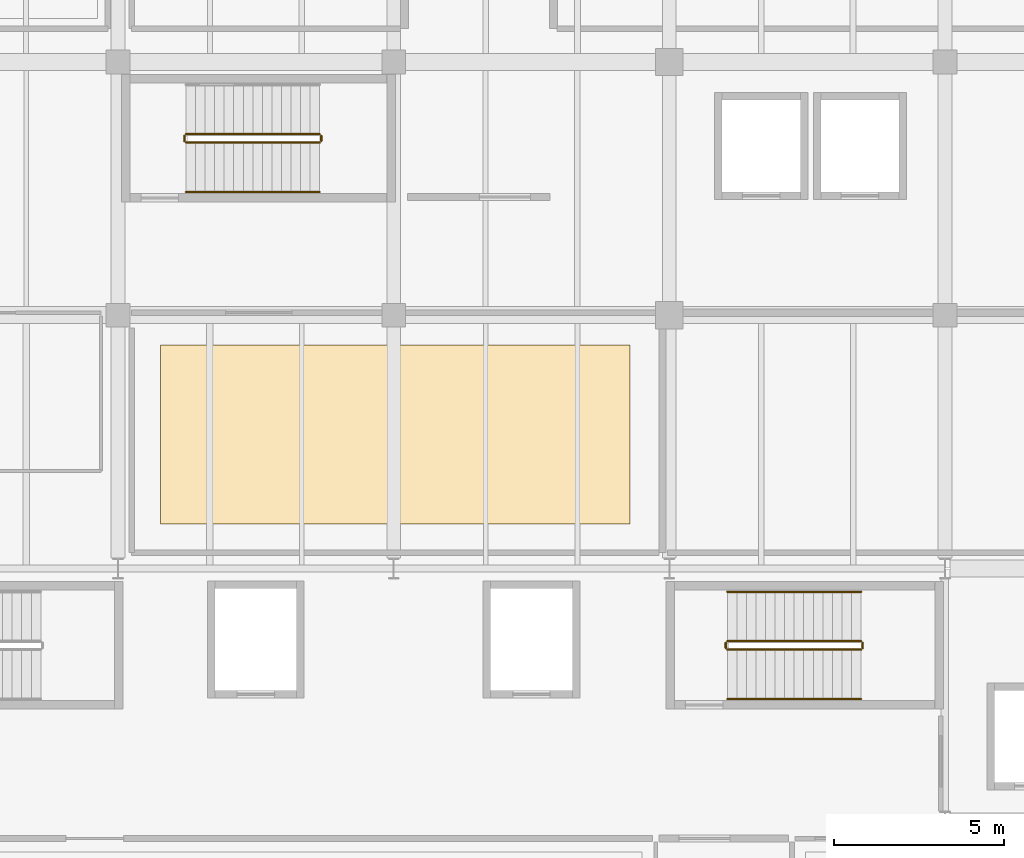
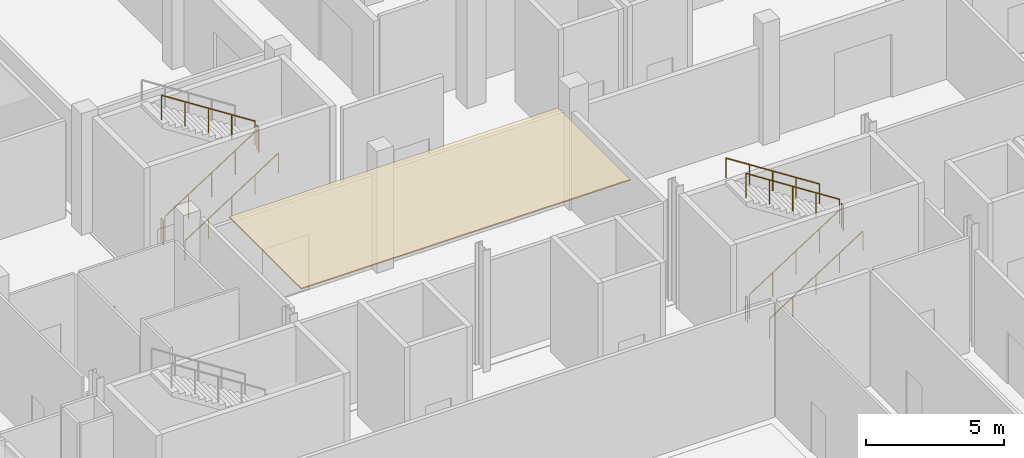
# One storey, part 366 of 372: 11 railings, 1 covering.
"""IFC4 building model written with IfcOpenShell, lengths in metres."""

from ifc_helpers import new_model, si_unit, direction, frame, origin, origin_2d, place, context, subcontext, project, spatial, polyline, circle, outline, extrude, material, layer, layer_set, type_object, element, save


model = new_model("IFC4")

# Units and contexts
model_context = context("Model", 3, precision=1e-05, world=origin(), true_north=direction((0.0, 1.0)))
body_context = subcontext(model_context, "Body", "Model", "MODEL_VIEW")
ifc_project = project(units=[si_unit("LENGTHUNIT", "METRE"), si_unit("AREAUNIT", "SQUARE_METRE"), si_unit("VOLUMEUNIT", "CUBIC_METRE"), si_unit("PLANEANGLEUNIT", "RADIAN"), si_unit("MASSUNIT", "GRAM", prefix="KILO")], contexts=[model_context])

# Site, building, storey
site_placement = place(None, origin())
site = spatial("IfcSite", under=ifc_project, at=site_placement, CompositionType="ELEMENT")
building_placement = place(site_placement, origin())
building = spatial("IfcBuilding", under=site, at=building_placement, Name="Kaelora Sail Theatre", CompositionType="ELEMENT")
storey_placement = place(building_placement, origin())
storey = spatial("IfcBuildingStorey", under=building, at=storey_placement, Name="L00", CompositionType="ELEMENT", Elevation=0.0)

# Covering
ifc_material_1 = material(Name="Micro-perforated timber acoustic reflector", Category="wood")
ifc_layer = layer(ifc_material_1, 0.050048828125)
ifc_layer_set = layer_set([ifc_layer], Name="Micro-perforated timber acoustic reflector")
covering_type = type_object("IfcCoveringType", Name="ARC-COV-CLG-AC-50", PredefinedType="CEILING", material=ifc_layer_set)
covering_placement = place(storey_placement, frame((0.0, 0.0, 5.070068359375)))
element("IfcCovering", 1, at=covering_placement, inside=storey, type_object=covering_type, Name="Acoustic ceiling L00-STAGE-MGR", PredefinedType="CEILING", context=body_context, shape_type="SweptSolid", body=[
    extrude(outline(polyline([(35.14990234375, 84.64990234375), (48.949951171875, 84.64990234375), (48.949951171875, 89.89990234375), (35.14990234375, 89.89990234375), (35.14990234375, 84.64990234375)])), origin(), (0.0, 0.0, 1.0), 0.050048828125),
])

# Railings
ifc_material_2 = material(Name="Painted steel and laminated safety glass guard", Category="steel")
railing_type_1 = type_object("IfcRailingType", Name="ARC-RL-GRD", PredefinedType="GUARDRAIL", material=ifc_material_2)
railing_1_placement = place(storey_placement, frame((51.81005859375, 80.949951171875, 0.179931640625)))
element("IfcRailing", 2, at=railing_1_placement, inside=storey, type_object=railing_type_1, Name="L00 ST-K5 stair guard 1", PredefinedType="GUARDRAIL", context=body_context, shape_type="SweptSolid", body=[
    extrude(circle(Radius=0.02392578125, at=origin_2d()), frame((0.0, 0.0, 1.076171875), z_axis=(0.841171666519, 0.0, 0.540768182723), x_axis=(0.0, 1.0, 0.0)), (0.0, 0.0, 1.0), 4.66015625),
    extrude(circle(Radius=0.02099609375, at=origin_2d()), origin(), (0.0, 0.0, 1.0), 1.052001953125),
    extrude(circle(Radius=0.02099609375, at=origin_2d()), frame((0.97998046875, 0.0, 0.6298828125)), (0.0, 0.0, 1.0), 1.052001953125),
    extrude(circle(Radius=0.02099609375, at=origin_2d()), frame((1.9599609375, 0.0, 1.260009765625)), (0.0, 0.0, 1.0), 1.052001953125),
    extrude(circle(Radius=0.02099609375, at=origin_2d()), frame((2.93994140625, 0.0, 1.89013671875)), (0.0, 0.0, 1.0), 1.052001953125),
    extrude(circle(Radius=0.02099609375, at=origin_2d()), frame((3.919921875, 0.0, 2.52001953125)), (0.0, 0.0, 1.0), 1.052001953125),
])
railing_2_placement = place(storey_placement, frame((55.780029296875, 81.0, 2.699951171875)))
element("IfcRailing", 3, at=railing_2_placement, inside=storey, type_object=railing_type_1, Name="L00 ST-K5 stair guard 2", PredefinedType="GUARDRAIL", context=body_context, shape_type="SweptSolid", body=[
    extrude(circle(Radius=0.02392578125, at=origin_2d()), frame((0.0, 0.0, 1.076171875), z_axis=(0.0, 1.0, 0.0), x_axis=(-1.0, 0.0, 0.0)), (0.0, 0.0, 1.0), 0.14990234375),
    extrude(circle(Radius=0.02099609375, at=origin_2d()), origin(), (0.0, 0.0, 1.0), 1.052001953125),
    extrude(circle(Radius=0.02099609375, at=origin_2d()), frame((0.0, 0.14990234375, 0.0)), (0.0, 0.0, 1.0), 1.052001953125),
])
railing_3_placement = place(storey_placement, frame((55.72998046875, 81.199951171875, 2.8798828125)))
element("IfcRailing", 4, at=railing_3_placement, inside=storey, type_object=railing_type_1, Name="L00 ST-K5 stair guard 3", PredefinedType="GUARDRAIL", context=body_context, shape_type="SweptSolid", body=[
    extrude(circle(Radius=0.02392578125, at=origin_2d()), frame((0.0, 0.0, 1.076171875), z_axis=(-0.841171666519, 0.0, 0.540768182723), x_axis=(0.0, -1.0, 0.0)), (0.0, 0.0, 1.0), 4.66015625),
    extrude(circle(Radius=0.02099609375, at=origin_2d()), origin(), (0.0, 0.0, 1.0), 1.052001953125),
    extrude(circle(Radius=0.02099609375, at=origin_2d()), frame((-0.97998046875, 0.0, 0.6298828125)), (0.0, 0.0, 1.0), 1.052001953125),
    extrude(circle(Radius=0.02099609375, at=origin_2d()), frame((-1.9599609375, 0.0, 1.260009765625)), (0.0, 0.0, 1.0), 1.052001953125),
    extrude(circle(Radius=0.02099609375, at=origin_2d()), frame((-2.93994140625, 0.0, 1.89013671875)), (0.0, 0.0, 1.0), 1.052001953125),
    extrude(circle(Radius=0.02099609375, at=origin_2d()), frame((-3.919921875, 0.0, 2.52001953125)), (0.0, 0.0, 1.0), 1.052001953125),
])
railing_4_placement = place(storey_placement, frame((51.760009765625, 81.0, 0.0)))
element("IfcRailing", 5, at=railing_4_placement, inside=storey, type_object=railing_type_1, Name="L00 ST-K5 stair guard 4", PredefinedType="GUARDRAIL", context=body_context, shape_type="SweptSolid", body=[
    extrude(circle(Radius=0.02392578125, at=origin_2d()), frame((0.0, 0.0, 1.076171875), z_axis=(0.0, 1.0, 0.0), x_axis=(-1.0, 0.0, 0.0)), (0.0, 0.0, 1.0), 0.14990234375),
    extrude(circle(Radius=0.02099609375, at=origin_2d()), origin(), (0.0, 0.0, 1.0), 1.052001953125),
    extrude(circle(Radius=0.02099609375, at=origin_2d()), frame((0.0, 0.14990234375, 0.0)), (0.0, 0.0, 1.0), 1.052001953125),
])
railing_5_placement = place(storey_placement, frame((35.89990234375, 95.85009765625, 0.179931640625)))
element("IfcRailing", 6, at=railing_5_placement, inside=storey, type_object=railing_type_1, Name="L00 ST-K2 stair guard 1", PredefinedType="GUARDRAIL", context=body_context, shape_type="SweptSolid", body=[
    extrude(circle(Radius=0.02392578125, at=origin_2d()), frame((0.0, 0.0, 1.076171875), z_axis=(0.841186985886, 0.0, 0.540744352514), x_axis=(0.0, 1.0, 0.0)), (0.0, 0.0, 1.0), 4.660400390625),
    extrude(circle(Radius=0.02099609375, at=origin_2d()), origin(), (0.0, 0.0, 1.0), 1.052001953125),
    extrude(circle(Radius=0.02099609375, at=origin_2d()), frame((0.97998046875, 0.0, 0.6298828125)), (0.0, 0.0, 1.0), 1.052001953125),
    extrude(circle(Radius=0.02099609375, at=origin_2d()), frame((1.9599609375, 0.0, 1.260009765625)), (0.0, 0.0, 1.0), 1.052001953125),
    extrude(circle(Radius=0.02099609375, at=origin_2d()), frame((2.940185546875, 0.0, 1.89013671875)), (0.0, 0.0, 1.0), 1.052001953125),
    extrude(circle(Radius=0.02099609375, at=origin_2d()), frame((3.920166015625, 0.0, 2.52001953125)), (0.0, 0.0, 1.0), 1.052001953125),
])
railing_6_placement = place(storey_placement, frame((39.8701171875, 95.89990234375, 2.699951171875)))
element("IfcRailing", 7, at=railing_6_placement, inside=storey, type_object=railing_type_1, Name="L00 ST-K2 stair guard 2", PredefinedType="GUARDRAIL", context=body_context, shape_type="SweptSolid", body=[
    extrude(circle(Radius=0.02392578125, at=origin_2d()), frame((0.0, 0.0, 1.076171875), z_axis=(0.0, 1.0, 0.0), x_axis=(-1.0, 0.0, 0.0)), (0.0, 0.0, 1.0), 0.150146484375),
    extrude(circle(Radius=0.02099609375, at=origin_2d()), origin(), (0.0, 0.0, 1.0), 1.052001953125),
    extrude(circle(Radius=0.02099609375, at=origin_2d()), frame((0.0, 0.150146484375, 0.0)), (0.0, 0.0, 1.0), 1.052001953125),
])
railing_7_placement = place(storey_placement, frame((39.820068359375, 96.10009765625, 2.8798828125)))
element("IfcRailing", 8, at=railing_7_placement, inside=storey, type_object=railing_type_1, Name="L00 ST-K2 stair guard 3", PredefinedType="GUARDRAIL", context=body_context, shape_type="SweptSolid", body=[
    extrude(circle(Radius=0.02392578125, at=origin_2d()), frame((0.0, 0.0, 1.076171875), z_axis=(-0.841186985886, 0.0, 0.540744352514), x_axis=(0.0, -1.0, 0.0)), (0.0, 0.0, 1.0), 4.660400390625),
    extrude(circle(Radius=0.02099609375, at=origin_2d()), origin(), (0.0, 0.0, 1.0), 1.052001953125),
    extrude(circle(Radius=0.02099609375, at=origin_2d()), frame((-0.97998046875, 0.0, 0.6298828125)), (0.0, 0.0, 1.0), 1.052001953125),
    extrude(circle(Radius=0.02099609375, at=origin_2d()), frame((-1.9599609375, 0.0, 1.260009765625)), (0.0, 0.0, 1.0), 1.052001953125),
    extrude(circle(Radius=0.02099609375, at=origin_2d()), frame((-2.940185546875, 0.0, 1.89013671875)), (0.0, 0.0, 1.0), 1.052001953125),
    extrude(circle(Radius=0.02099609375, at=origin_2d()), frame((-3.920166015625, 0.0, 2.52001953125)), (0.0, 0.0, 1.0), 1.052001953125),
])
railing_8_placement = place(storey_placement, frame((35.85009765625, 95.89990234375, 0.0)))
element("IfcRailing", 9, at=railing_8_placement, inside=storey, type_object=railing_type_1, Name="L00 ST-K2 stair guard 4", PredefinedType="GUARDRAIL", context=body_context, shape_type="SweptSolid", body=[
    extrude(circle(Radius=0.02392578125, at=origin_2d()), frame((0.0, 0.0, 1.076171875), z_axis=(0.0, 1.0, 0.0), x_axis=(-1.0, 0.0, 0.0)), (0.0, 0.0, 1.0), 0.150146484375),
    extrude(circle(Radius=0.02099609375, at=origin_2d()), origin(), (0.0, 0.0, 1.0), 1.052001953125),
    extrude(circle(Radius=0.02099609375, at=origin_2d()), frame((0.0, 0.150146484375, 0.0)), (0.0, 0.0, 1.0), 1.052001953125),
])
ifc_material_3 = material(Name="Brushed stainless steel 316L tubular handrail", Category="steel")
railing_type_2 = type_object("IfcRailingType", Name="ARC-RL-HND", PredefinedType="HANDRAIL", material=ifc_material_3)
railing_9_placement = place(storey_placement, frame((51.81005859375, 79.5, 0.179931640625)))
element("IfcRailing", 10, at=railing_9_placement, inside=storey, type_object=railing_type_2, Name="L00 ST-K5 stair handrail 1", PredefinedType="HANDRAIL", context=body_context, shape_type="SweptSolid", body=[
    extrude(circle(Radius=0.02392578125, at=origin_2d()), frame((0.0, 0.0, 0.8759765625), z_axis=(0.841171666519, 0.0, 0.540768182723), x_axis=(0.0, 1.0, 0.0)), (0.0, 0.0, 1.0), 4.66015625),
    extrude(circle(Radius=0.02099609375, at=origin_2d()), origin(), (0.0, 0.0, 1.0), 0.851806640625),
    extrude(circle(Radius=0.02099609375, at=origin_2d()), frame((0.97998046875, 0.0, 0.6298828125)), (0.0, 0.0, 1.0), 0.851806640625),
    extrude(circle(Radius=0.02099609375, at=origin_2d()), frame((1.9599609375, 0.0, 1.260009765625)), (0.0, 0.0, 1.0), 0.851806640625),
    extrude(circle(Radius=0.02099609375, at=origin_2d()), frame((2.93994140625, 0.0, 1.89013671875)), (0.0, 0.0, 1.0), 0.851806640625),
    extrude(circle(Radius=0.02099609375, at=origin_2d()), frame((3.919921875, 0.0, 2.52001953125)), (0.0, 0.0, 1.0), 0.851806640625),
])
railing_10_placement = place(storey_placement, frame((55.72998046875, 82.64990234375, 2.8798828125)))
element("IfcRailing", 11, at=railing_10_placement, inside=storey, type_object=railing_type_2, Name="L00 ST-K5 stair handrail 2", PredefinedType="HANDRAIL", context=body_context, shape_type="SweptSolid", body=[
    extrude(circle(Radius=0.02392578125, at=origin_2d()), frame((0.0, 0.0, 0.8759765625), z_axis=(-0.841171666519, 0.0, 0.540768182723), x_axis=(0.0, -1.0, 0.0)), (0.0, 0.0, 1.0), 4.66015625),
    extrude(circle(Radius=0.02099609375, at=origin_2d()), origin(), (0.0, 0.0, 1.0), 0.851806640625),
    extrude(circle(Radius=0.02099609375, at=origin_2d()), frame((-0.97998046875, 0.0, 0.6298828125)), (0.0, 0.0, 1.0), 0.851806640625),
    extrude(circle(Radius=0.02099609375, at=origin_2d()), frame((-1.9599609375, 0.0, 1.260009765625)), (0.0, 0.0, 1.0), 0.851806640625),
    extrude(circle(Radius=0.02099609375, at=origin_2d()), frame((-2.93994140625, 0.0, 1.89013671875)), (0.0, 0.0, 1.0), 0.851806640625),
    extrude(circle(Radius=0.02099609375, at=origin_2d()), frame((-3.919921875, 0.0, 2.52001953125)), (0.0, 0.0, 1.0), 0.851806640625),
])
railing_11_placement = place(storey_placement, frame((35.89990234375, 94.39990234375, 0.179931640625)))
element("IfcRailing", 12, at=railing_11_placement, inside=storey, type_object=railing_type_2, Name="L00 ST-K2 stair handrail 1", PredefinedType="HANDRAIL", context=body_context, shape_type="SweptSolid", body=[
    extrude(circle(Radius=0.02392578125, at=origin_2d()), frame((0.0, 0.0, 0.8759765625), z_axis=(0.841186985886, 0.0, 0.540744352514), x_axis=(0.0, 1.0, 0.0)), (0.0, 0.0, 1.0), 4.660400390625),
    extrude(circle(Radius=0.02099609375, at=origin_2d()), origin(), (0.0, 0.0, 1.0), 0.851806640625),
    extrude(circle(Radius=0.02099609375, at=origin_2d()), frame((0.97998046875, 0.0, 0.6298828125)), (0.0, 0.0, 1.0), 0.851806640625),
    extrude(circle(Radius=0.02099609375, at=origin_2d()), frame((1.9599609375, 0.0, 1.260009765625)), (0.0, 0.0, 1.0), 0.851806640625),
    extrude(circle(Radius=0.02099609375, at=origin_2d()), frame((2.940185546875, 0.0, 1.89013671875)), (0.0, 0.0, 1.0), 0.851806640625),
    extrude(circle(Radius=0.02099609375, at=origin_2d()), frame((3.920166015625, 0.0, 2.52001953125)), (0.0, 0.0, 1.0), 0.851806640625),
])

save(model, "model.ifc")
